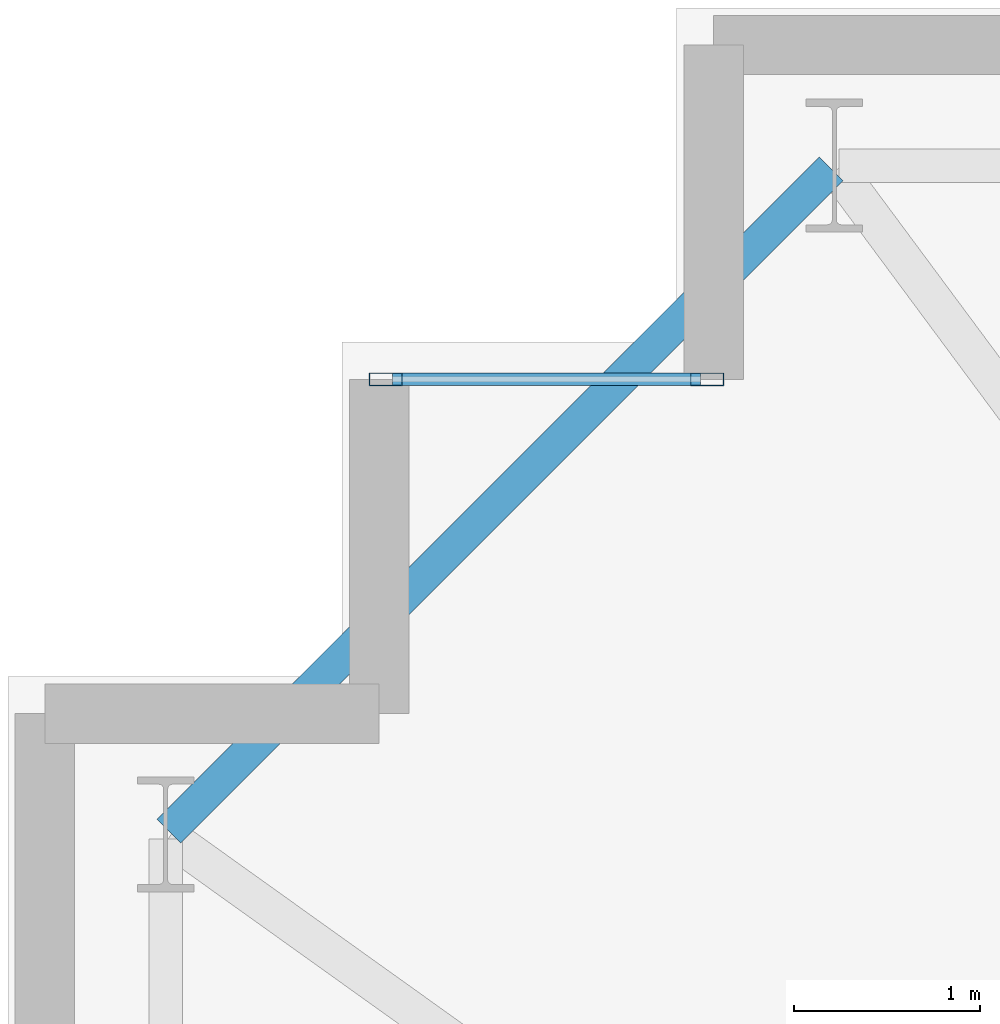
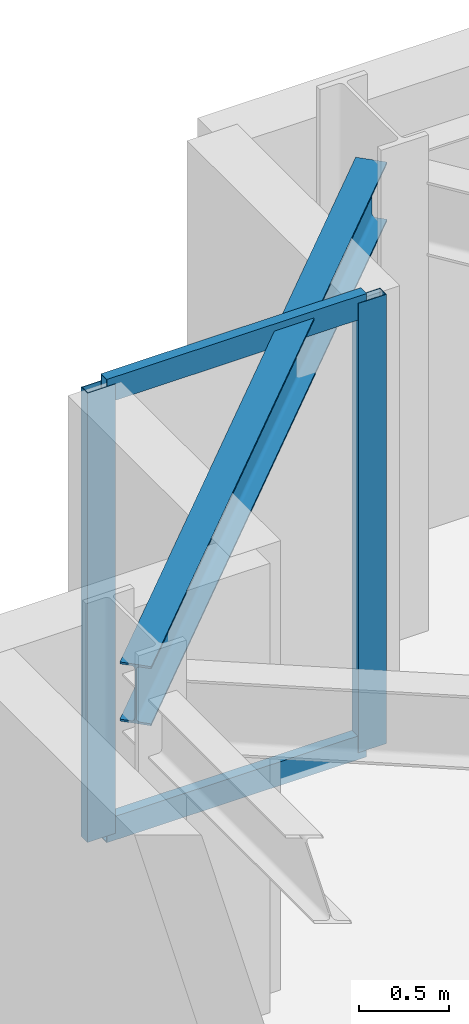
# One storey, part 8 of 22: 4 members, 1 beam, 1 element without a shape of its own.
"""IFC4 building model written with IfcOpenShell, lengths in metres."""

from ifc_helpers import new_model, si_unit, direction, frame, origin, origin_2d, place, context, subcontext, project, spatial, hollow_rectangle, i_section, extrude, material, layer, layer_set, material_profile, profile_set, type_object, element, aggregate, save


model = new_model("IFC4")

# Units and contexts
model_context = context("Model", 3, precision=1e-05, world=origin(), true_north=direction((0.0, 1.0)))
body_context = subcontext(model_context, "Body", "Model", "MODEL_VIEW")
ifc_project = project(units=[si_unit("LENGTHUNIT", "METRE"), si_unit("AREAUNIT", "SQUARE_METRE"), si_unit("VOLUMEUNIT", "CUBIC_METRE"), si_unit("PLANEANGLEUNIT", "RADIAN"), si_unit("MASSUNIT", "GRAM", prefix="KILO")], contexts=[model_context])

# Site, building, storey
site_placement = place(None, origin())
site = spatial("IfcSite", under=ifc_project, at=site_placement, CompositionType="ELEMENT")
building_placement = place(site_placement, origin())
building = spatial("IfcBuilding", under=site, at=building_placement, Name="Qobustan Lattice House", CompositionType="ELEMENT")
storey_placement = place(building_placement, frame((0.0, 0.0, 33.699951171875)))
storey = spatial("IfcBuildingStorey", under=building, at=storey_placement, Name="L08", CompositionType="ELEMENT", Elevation=33.699951171875)

# Beam
ifc_material_1 = material(Name="Steel S355", Category="steel")
ifc_material_profile_1 = material_profile(ifc_material_1, i_section(OverallWidth=0.179931640625, OverallDepth=0.39990234375, WebThickness=0.008544921875, FlangeThickness=0.013427734375, FilletRadius=0.02099609375, at=origin_2d()), Name="IPE400")
ifc_profile_set_1 = profile_set([ifc_material_profile_1], Name="Steel S355")
beam_type = type_object("IfcBeamType", Name="BM-SPD-IPE400", PredefinedType="SPANDREL", material=ifc_profile_set_1)
beam_placement = place(storey_placement, frame((-28.567626953125, 18.732421875, 2.8349609375), z_axis=(-0.707106781187, -0.707106781187, 0.0), x_axis=(0.707106781187, -0.707106781187, 0.0)))
element("IfcBeam", 1, at=beam_placement, inside=storey, type_object=beam_type, Name="L08 perimeter spandrel N7-W1", PredefinedType="SPANDREL", context=body_context, shape_type="SweptSolid", body=[
    extrude(i_section(OverallWidth=0.179931640625, OverallDepth=0.39990234375, WebThickness=0.008544921875, FlangeThickness=0.013427734375, FilletRadius=0.02099609375, at=origin_2d()), origin(), (0.0, 0.0, 1.0), 5.041259765625),
])

# Curtain wall, members
ifc_material_2 = material(Name="Anodised aluminium and low-E glazing", Category="aluminium")
ifc_layer = layer(ifc_material_2, 0.219970703125)
ifc_layer_set = layer_set([ifc_layer], Name="Anodised aluminium and low-E glazing")
curtain_wall_type = type_object("IfcCurtainWallType", Name="CW-FAC-01", PredefinedType="USERDEFINED", material=ifc_layer_set)
curtain_wall_placement = place(storey_placement, origin())
curtain_wall = element("IfcCurtainWall", 2, at=curtain_wall_placement, inside=storey, type_object=curtain_wall_type, Name="L08 serrated corner faceted glazing 8", ObjectType="CURTAIN WALL", PredefinedType="USERDEFINED")
ifc_material_3 = material(Name="Anodised aluminium EN AW-6063 T6", Category="aluminium")
ifc_material_profile_2 = material_profile(ifc_material_3, hollow_rectangle(XDim=0.070068359375, YDim=0.179931640625, WallThickness=0.00439453125, at=origin_2d()), Name="CWM-180x70")
ifc_profile_set_2 = profile_set([ifc_material_profile_2], Name="Anodised aluminium EN AW-6063 T6")
member_type_1 = type_object("IfcMemberType", Name="CWM-STD-180", PredefinedType="MULLION", material=ifc_profile_set_2)
member_1_placement = place(storey_placement, frame((-30.965087890625, 17.60009765625, 0.0), z_axis=(0.0, 0.0, 1.0), x_axis=(0.0, 1.0, 0.0)))
member_1 = element("IfcMember", 3, at=member_1_placement, type_object=member_type_1, Name="CW-F1 mullion 1", PredefinedType="MULLION", context=body_context, shape_type="SweptSolid", body=[
    extrude(hollow_rectangle(XDim=0.070068359375, YDim=0.179931640625, WallThickness=0.00439453125, at=origin_2d()), origin(), (0.0, 0.0, 1.0), 3.03515625),
])
member_2_placement = place(storey_placement, frame((-29.235107421875, 17.60009765625, 0.0), z_axis=(0.0, 0.0, 1.0), x_axis=(0.0, 1.0, 0.0)))
member_2 = element("IfcMember", 4, at=member_2_placement, type_object=member_type_1, Name="CW-F1 mullion 2", PredefinedType="MULLION", context=body_context, shape_type="SweptSolid", body=[
    extrude(hollow_rectangle(XDim=0.070068359375, YDim=0.179931640625, WallThickness=0.00439453125, at=origin_2d()), origin(), (0.0, 0.0, 1.0), 3.03515625),
])
ifc_material_4 = material(Name="Anodised aluminium EN AW-6063 T6", Category="aluminium")
ifc_material_profile_3 = material_profile(ifc_material_4, hollow_rectangle(XDim=0.06494140625, YDim=0.159912109375, WallThickness=0.00390625, at=origin_2d()), Name="CWT-160x65")
ifc_profile_set_3 = profile_set([ifc_material_profile_3], Name="Anodised aluminium EN AW-6063 T6")
member_type_2 = type_object("IfcMemberType", Name="CWT-HOR-160", PredefinedType="USERDEFINED", material=ifc_profile_set_3)
member_3_placement = place(storey_placement, frame((-30.929931640625, 17.60009765625, 0.032470703125), z_axis=(1.0, 0.0, 0.0), x_axis=(0.0, 1.0, 0.0)))
member_3 = element("IfcMember", 5, at=member_3_placement, type_object=member_type_2, Name="CW-F1 transom 1.1", ObjectType="TRANSOM", PredefinedType="USERDEFINED", context=body_context, shape_type="SweptSolid", body=[
    extrude(hollow_rectangle(XDim=0.06494140625, YDim=0.159912109375, WallThickness=0.00390625, at=origin_2d()), origin(), (0.0, 0.0, 1.0), 1.659912109375),
])
member_4_placement = place(storey_placement, frame((-30.929931640625, 17.60009765625, 3.00244140625), z_axis=(1.0, 0.0, 0.0), x_axis=(0.0, 1.0, 0.0)))
member_4 = element("IfcMember", 6, at=member_4_placement, type_object=member_type_2, Name="CW-F1 transom 1.2", ObjectType="TRANSOM", PredefinedType="USERDEFINED", context=body_context, shape_type="SweptSolid", body=[
    extrude(hollow_rectangle(XDim=0.06494140625, YDim=0.159912109375, WallThickness=0.00390625, at=origin_2d()), origin(), (0.0, 0.0, 1.0), 1.659912109375),
])
aggregate(curtain_wall, [member_1, member_2, member_3, member_4])

save(model, "model.ifc")
